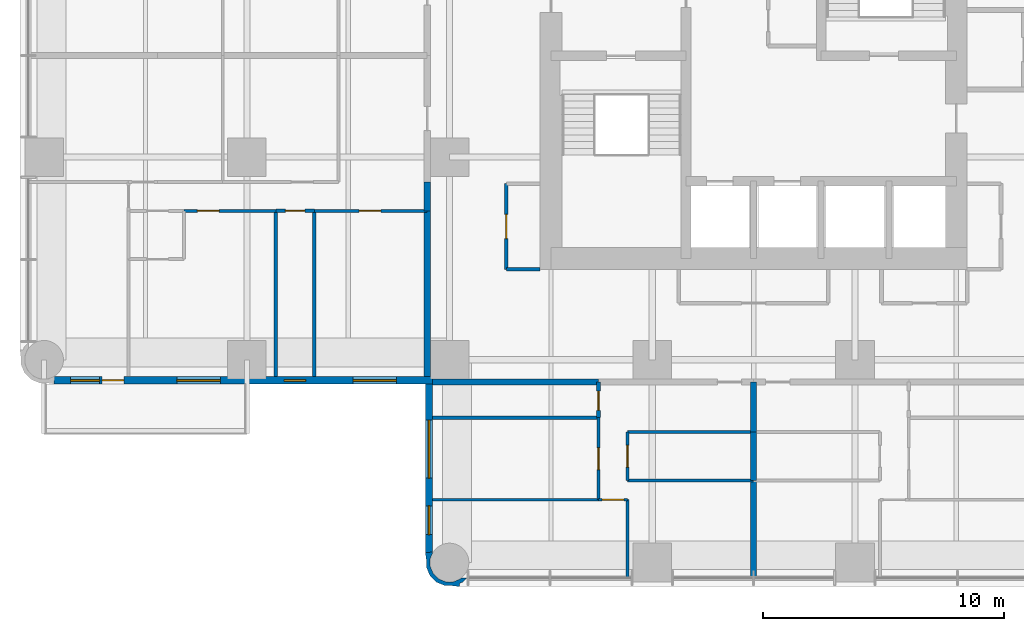
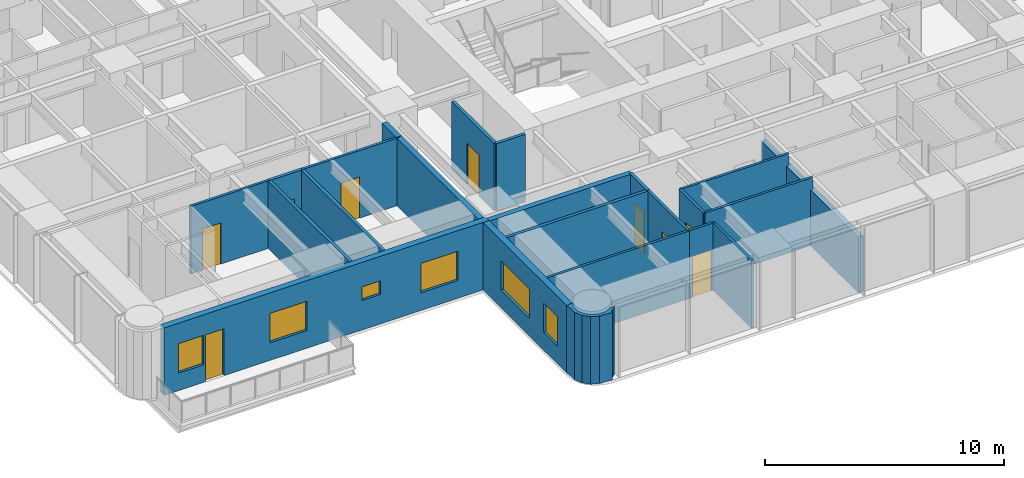
# One storey, part 6 of 15: 25 walls, 9 doors, 6 windows, 15 openings.
"""IFC4 building model written with IfcOpenShell, lengths in metres."""

from ifc_helpers import new_model, si_unit, direction, frame, frame_2d, origin, place, context, subcontext, project, spatial, polyline, rectangle, outline, extrude, material, layer, layer_set, type_object, element, fill, save


model = new_model("IFC4")

# Units and contexts
model_context = context("Model", 3, precision=1e-05, world=origin(), true_north=direction((0.0, 1.0)))
body_context = subcontext(model_context, "Body", "Model", "MODEL_VIEW")
ifc_project = project(units=[si_unit("LENGTHUNIT", "METRE"), si_unit("AREAUNIT", "SQUARE_METRE"), si_unit("VOLUMEUNIT", "CUBIC_METRE"), si_unit("PLANEANGLEUNIT", "RADIAN"), si_unit("MASSUNIT", "GRAM", prefix="KILO")], contexts=[model_context])

# Site, building, storey
site_placement = place(None, origin())
site = spatial("IfcSite", under=ifc_project, at=site_placement, CompositionType="ELEMENT")
building_placement = place(site_placement, origin())
building = spatial("IfcBuilding", under=site, at=building_placement, Name="Torre Alcanfor", CompositionType="ELEMENT")
storey_placement = place(building_placement, frame((0.0, 0.0, 152.10009765625)))
storey = spatial("IfcBuildingStorey", under=building, at=storey_placement, Name="L39", CompositionType="ELEMENT", Elevation=152.10009765625)

# Walls
ifc_material_1 = material(Name="Concrete block masonry, hollow blocks NMX-C-404 9 MPa", Category="masonry")
ifc_layer_1 = layer(ifc_material_1, 0.25)
ifc_layer_set_1 = layer_set([ifc_layer_1], Name="Apartment entrance wall 250 EI 60")
wall_type_1 = type_object("IfcWallType", Name="Apartment entrance wall 250 EI 60", PredefinedType="PARTITIONING", material=ifc_layer_set_1)
wall_1_placement = place(storey_placement, frame((22.970947265625, 15.875, 0.0), z_axis=(0.0, 0.0, 1.0), x_axis=(-1.0, 0.0, 0.0)))
element("IfcWall", 1, at=wall_1_placement, inside=storey, type_object=wall_type_1, Name="Partition L39-CORR / L39-S2-BATH", PredefinedType="PARTITIONING", context=body_context, shape_type="SweptSolid", body=[
    extrude(rectangle(XDim=6.870849609375, YDim=0.25, at=frame_2d((3.435546875, 0.0))), origin(), (0.0, 0.0, 1.0), 3.449951171875),
])
wall_2_placement = place(storey_placement, frame((15.875, 22.970947265625, 0.0), z_axis=(0.0, 0.0, 1.0), x_axis=(0.0, 1.0, 0.0)))
element("IfcWall", 2, at=wall_2_placement, inside=storey, type_object=wall_type_1, Name="Partition L39-CORR / L39-W1-HALL", PredefinedType="PARTITIONING", context=body_context, shape_type="SweptSolid", body=[
    extrude(rectangle(XDim=1.199951171875, YDim=0.25, at=frame_2d((0.60009765625, 0.0))), origin(), (0.0, 0.0, 1.0), 3.449951171875),
])
wall_3_placement = place(storey_placement, frame((15.875, 16.10009765625, 0.0), z_axis=(0.0, 0.0, 1.0), x_axis=(0.0, 1.0, 0.0)))
element("IfcWall", 3, at=wall_3_placement, inside=storey, type_object=wall_type_1, Name="Partition L39-CORR / L39-W1-BED2", PredefinedType="PARTITIONING", context=body_context, shape_type="SweptSolid", body=[
    extrude(rectangle(XDim=6.870849609375, YDim=0.25, at=frame_2d((3.435546875, 0.0))), origin(), (0.0, 0.0, 1.0), 3.449951171875),
])
ifc_material_2 = material(Name="Gypsum board on steel studs", Category="steel")
ifc_layer_2 = layer(ifc_material_2, 0.1201171875)
ifc_layer_set_2 = layer_set([ifc_layer_2], Name="Apartment partition 120")
wall_type_2 = type_object("IfcWallType", Name="Apartment partition 120", PredefinedType="PARTITIONING", material=ifc_layer_set_2)
wall_4_placement = place(storey_placement, frame((29.39990234375, 11.800048828125, 0.0), z_axis=(0.0, 0.0, 1.0), x_axis=(-1.0, 0.0, 0.0)))
element("IfcWall", 4, at=wall_4_placement, inside=storey, type_object=wall_type_2, Name="Partition L39-S2-KITCHEN / L39-S2-LIVING", PredefinedType="PARTITIONING", context=body_context, shape_type="SweptSolid", body=[
    extrude(rectangle(XDim=5.22900390625, YDim=0.1201171875, at=frame_2d((2.614501953125, 0.0))), origin(), (0.0, 0.0, 1.0), 3.449951171875),
])

# Wall, opening, door
wall_5_placement = place(storey_placement, frame((24.1708984375, 11.800048828125, 0.0), z_axis=(0.0, 0.0, 1.0), x_axis=(0.0, 1.0, 0.0)))
wall_5 = element("IfcWall", 5, at=wall_5_placement, inside=storey, type_object=wall_type_2, Name="Partition L39-S2-KITCHEN / L39-S2-LIVING", PredefinedType="PARTITIONING", context=body_context, shape_type="SweptSolid", body=[
    extrude(rectangle(XDim=2.0, YDim=0.1201171875, at=frame_2d((1.0, 0.0))), origin(), (0.0, 0.0, 1.0), 3.449951171875),
])
opening_1_placement = place(wall_5_placement, frame((0.550048828125, 0.0, 0.0)))
opening_1 = element("IfcOpeningElement", 6, at=opening_1_placement, cuts=wall_5, Name="Opening D-R1", PredefinedType="OPENING", context=body_context, shape_type="SweptSolid", body=[
    extrude(rectangle(XDim=0.89990234375, YDim=2.10009765625, at=frame_2d((0.449951171875, 1.050048828125))), frame((0.0, 0.070068359375, 0.0), z_axis=(0.0, -1.0, 0.0), x_axis=(1.0, 0.0, 0.0)), (0.0, 0.0, 1.0), 0.14013671875),
])
ifc_material_3 = material(Name="Timber", Category="wood")
door_type_1 = type_object("IfcDoorType", Name="Internal door 900x2100", OperationType="SINGLE_SWING_LEFT", PredefinedType="DOOR", material=ifc_material_3)
door_1_placement = place(opening_1_placement, frame((0.89990234375, 0.0, 0.0), z_axis=(0.0, 0.0, 1.0), x_axis=(-1.0, 0.0, 0.0)))
door_1 = element("IfcDoor", 7, at=door_1_placement, inside=storey, type_object=door_type_1, Name="Door L39-S2 kitchen", OperationType="SINGLE_SWING_RIGHT", OverallHeight=2.10009765625, OverallWidth=0.89990234375, PredefinedType="DOOR", context=body_context, shape_type="SweptSolid", body=[
    extrude(rectangle(XDim=0.89990234375, YDim=2.10009765625, at=frame_2d((0.449951171875, 1.050048828125))), frame((0.0, 0.025146484375, 0.0), z_axis=(0.0, -1.0, 0.0), x_axis=(1.0, 0.0, 0.0)), (0.0, 0.0, 1.0), 0.050048828125),
])
fill(opening_1, door_1)

# Wall
wall_6_placement = place(storey_placement, frame((24.1708984375, 13.800048828125, 0.0), z_axis=(0.0, 0.0, 1.0), x_axis=(1.0, 0.0, 0.0)))
element("IfcWall", 8, at=wall_6_placement, inside=storey, type_object=wall_type_2, Name="Partition L39-S2-KITCHEN / L39-S2-LIVING", PredefinedType="PARTITIONING", context=body_context, shape_type="SweptSolid", body=[
    extrude(rectangle(XDim=5.22900390625, YDim=0.1201171875, at=frame_2d((2.614501953125, 0.0))), origin(), (0.0, 0.0, 1.0), 3.449951171875),
])

# Wall, opening, door
wall_7_placement = place(storey_placement, frame((22.970947265625, 11.0, 0.0), z_axis=(0.0, 0.0, 1.0), x_axis=(0.0, 1.0, 0.0)))
wall_7 = element("IfcWall", 9, at=wall_7_placement, inside=storey, type_object=wall_type_2, Name="Partition L39-S2-LIVING / L39-S2-STUDY", PredefinedType="PARTITIONING", context=body_context, shape_type="SweptSolid", body=[
    extrude(rectangle(XDim=3.39990234375, YDim=0.1201171875, at=frame_2d((1.699951171875, 0.0))), origin(), (0.0, 0.0, 1.0), 3.449951171875),
])
opening_2_placement = place(wall_7_placement, frame((1.25, 0.0, 0.0)))
opening_2 = element("IfcOpeningElement", 10, at=opening_2_placement, cuts=wall_7, Name="Opening D-R1", PredefinedType="OPENING", context=body_context, shape_type="SweptSolid", body=[
    extrude(rectangle(XDim=0.89990234375, YDim=2.10009765625, at=frame_2d((0.449951171875, 1.050048828125))), frame((0.0, 0.070068359375, 0.0), z_axis=(0.0, -1.0, 0.0), x_axis=(1.0, 0.0, 0.0)), (0.0, 0.0, 1.0), 0.14013671875),
])
door_2_placement = place(opening_2_placement, origin())
door_2 = element("IfcDoor", 11, at=door_2_placement, inside=storey, type_object=door_type_1, Name="Door L39-S2 study", OperationType="SINGLE_SWING_LEFT", OverallHeight=2.10009765625, OverallWidth=0.89990234375, PredefinedType="DOOR", context=body_context, shape_type="SweptSolid", body=[
    extrude(rectangle(XDim=0.89990234375, YDim=2.10009765625, at=frame_2d((0.449951171875, 1.050048828125))), frame((0.0, 0.02490234375, 0.0), z_axis=(0.0, -1.0, 0.0), x_axis=(1.0, 0.0, 0.0)), (0.0, 0.0, 1.0), 0.050048828125),
])
fill(opening_2, door_2)

# Wall
wall_8_placement = place(storey_placement, frame((24.1708984375, 7.75, 0.0), z_axis=(0.0, 0.0, 1.0), x_axis=(0.0, 1.0, 0.0)))
element("IfcWall", 12, at=wall_8_placement, inside=storey, type_object=wall_type_2, Name="Partition L39-S2-LIVING / L39-S2-MASTER", PredefinedType="PARTITIONING", context=body_context, shape_type="SweptSolid", body=[
    extrude(rectangle(XDim=3.25, YDim=0.1201171875, at=frame_2d((1.625, 0.0))), origin(), (0.0, 0.0, 1.0), 3.449951171875),
])

# Wall, opening, door
wall_9_placement = place(storey_placement, frame((24.1708984375, 11.0, 0.0), z_axis=(0.0, 0.0, 1.0), x_axis=(-1.0, 0.0, 0.0)))
wall_9 = element("IfcWall", 13, at=wall_9_placement, inside=storey, type_object=wall_type_2, Name="Partition L39-S2-LIVING / L39-S2-MASTER", PredefinedType="PARTITIONING", context=body_context, shape_type="SweptSolid", body=[
    extrude(rectangle(XDim=1.199951171875, YDim=0.1201171875, at=frame_2d((0.60009765625, 0.0))), origin(), (0.0, 0.0, 1.0), 3.449951171875),
])
opening_3_placement = place(wall_9_placement, frame((0.15087890625, 0.0, 0.0)))
opening_3 = element("IfcOpeningElement", 14, at=opening_3_placement, cuts=wall_9, Name="Opening D-R1", PredefinedType="OPENING", context=body_context, shape_type="SweptSolid", body=[
    extrude(rectangle(XDim=0.89990234375, YDim=2.10009765625, at=frame_2d((0.449951171875, 1.050048828125))), frame((0.0, 0.070068359375, 0.0), z_axis=(0.0, -1.0, 0.0), x_axis=(1.0, 0.0, 0.0)), (0.0, 0.0, 1.0), 0.14013671875),
])
door_3_placement = place(opening_3_placement, origin())
door_3 = element("IfcDoor", 15, at=door_3_placement, inside=storey, type_object=door_type_1, Name="Door L39-S2 master", OperationType="SINGLE_SWING_LEFT", OverallHeight=2.10009765625, OverallWidth=0.89990234375, PredefinedType="DOOR", context=body_context, shape_type="SweptSolid", body=[
    extrude(rectangle(XDim=0.89990234375, YDim=2.10009765625, at=frame_2d((0.449951171875, 1.050048828125))), frame((0.0, 0.02490234375, 0.0), z_axis=(0.0, -1.0, 0.0), x_axis=(1.0, 0.0, 0.0)), (0.0, 0.0, 1.0), 0.050048828125),
])
fill(opening_3, door_3)

# Wall
wall_10_placement = place(storey_placement, frame((22.970947265625, 11.0, 0.0), z_axis=(0.0, 0.0, 1.0), x_axis=(-1.0, 0.0, 0.0)))
element("IfcWall", 16, at=wall_10_placement, inside=storey, type_object=wall_type_2, Name="Partition L39-S2-STUDY / L39-S2-MASTER", PredefinedType="PARTITIONING", context=body_context, shape_type="SweptSolid", body=[
    extrude(rectangle(XDim=6.870849609375, YDim=0.1201171875, at=frame_2d((3.435546875, 0.0))), origin(), (0.0, 0.0, 1.0), 3.449951171875),
])

# Wall, opening, door
wall_11_placement = place(storey_placement, frame((11.199951171875, 22.970947265625, 0.0), z_axis=(0.0, 0.0, 1.0), x_axis=(1.0, 0.0, 0.0)))
wall_11 = element("IfcWall", 17, at=wall_11_placement, inside=storey, type_object=wall_type_2, Name="Partition L39-W1-HALL / L39-W1-BED2", PredefinedType="PARTITIONING", context=body_context, shape_type="SweptSolid", body=[
    extrude(rectangle(XDim=4.675048828125, YDim=0.1201171875, at=frame_2d((2.33740234375, 0.0))), origin(), (0.0, 0.0, 1.0), 3.449951171875),
])
opening_4_placement = place(wall_11_placement, frame((1.85009765625, 0.0, 0.0)))
opening_4 = element("IfcOpeningElement", 18, at=opening_4_placement, cuts=wall_11, Name="Opening D-R1", PredefinedType="OPENING", context=body_context, shape_type="SweptSolid", body=[
    extrude(rectangle(XDim=0.89990234375, YDim=2.10009765625, at=frame_2d((0.449951171875, 1.050048828125))), frame((0.0, 0.070068359375, 0.0), z_axis=(0.0, -1.0, 0.0), x_axis=(1.0, 0.0, 0.0)), (0.0, 0.0, 1.0), 0.14013671875),
])
door_4_placement = place(opening_4_placement, frame((0.89990234375, 0.0, 0.0), z_axis=(0.0, 0.0, 1.0), x_axis=(-1.0, 0.0, 0.0)))
door_4 = element("IfcDoor", 19, at=door_4_placement, inside=storey, type_object=door_type_1, Name="Door L39-W1 bed2", OperationType="SINGLE_SWING_RIGHT", OverallHeight=2.10009765625, OverallWidth=0.89990234375, PredefinedType="DOOR", context=body_context, shape_type="SweptSolid", body=[
    extrude(rectangle(XDim=0.89990234375, YDim=2.10009765625, at=frame_2d((0.449951171875, 1.050048828125))), frame((0.0, 0.025146484375, 0.0), z_axis=(0.0, -1.0, 0.0), x_axis=(1.0, 0.0, 0.0)), (0.0, 0.0, 1.0), 0.050048828125),
])
fill(opening_4, door_4)

wall_12_placement = place(storey_placement, frame((5.800048828125, 22.970947265625, 0.0), z_axis=(0.0, 0.0, 1.0), x_axis=(1.0, 0.0, 0.0)))
wall_12 = element("IfcWall", 20, at=wall_12_placement, inside=storey, type_object=wall_type_2, Name="Partition L39-W1-HALL / L39-W1-MASTER", PredefinedType="PARTITIONING", context=body_context, shape_type="SweptSolid", body=[
    extrude(rectangle(XDim=3.800048828125, YDim=0.1201171875, at=frame_2d((1.89990234375, 0.0))), origin(), (0.0, 0.0, 1.0), 3.449951171875),
])
opening_5_placement = place(wall_12_placement, frame((0.550048828125, 0.0, 0.0)))
opening_5 = element("IfcOpeningElement", 21, at=opening_5_placement, cuts=wall_12, Name="Opening D-R1", PredefinedType="OPENING", context=body_context, shape_type="SweptSolid", body=[
    extrude(rectangle(XDim=0.89990234375, YDim=2.10009765625, at=frame_2d((0.449951171875, 1.050048828125))), frame((0.0, 0.070068359375, 0.0), z_axis=(0.0, -1.0, 0.0), x_axis=(1.0, 0.0, 0.0)), (0.0, 0.0, 1.0), 0.14013671875),
])
door_5_placement = place(opening_5_placement, frame((0.89990234375, 0.0, 0.0), z_axis=(0.0, 0.0, 1.0), x_axis=(-1.0, 0.0, 0.0)))
door_5 = element("IfcDoor", 22, at=door_5_placement, inside=storey, type_object=door_type_1, Name="Door L39-W1 master", OperationType="SINGLE_SWING_RIGHT", OverallHeight=2.10009765625, OverallWidth=0.89990234375, PredefinedType="DOOR", context=body_context, shape_type="SweptSolid", body=[
    extrude(rectangle(XDim=0.89990234375, YDim=2.10009765625, at=frame_2d((0.449951171875, 1.050048828125))), frame((0.0, 0.025146484375, 0.0), z_axis=(0.0, -1.0, 0.0), x_axis=(1.0, 0.0, 0.0)), (0.0, 0.0, 1.0), 0.050048828125),
])
fill(opening_5, door_5)

# Wall, openings, door, windows
ifc_material_4 = material(Name="Limestone cladding", Category="masonry")
ifc_layer_3 = layer(ifc_material_4, 0.0400390625, Name="Facing")
ifc_material_5 = material(Name="Ventilated air cavity")
ifc_layer_4 = layer(ifc_material_5, 0.02001953125, ventilated=True, Name="Ventilated joint")
ifc_material_6 = material(Name="Mineral wool insulation", Category="insulation")
ifc_layer_5 = layer(ifc_material_6, 0.10009765625, Name="Insulation")
ifc_material_7 = material(Name="Concrete f'c 35 MPa", Category="concrete")
ifc_layer_6 = layer(ifc_material_7, 0.139892578125, Name="Backing")
ifc_layer_set_3 = layer_set([ifc_layer_3, ifc_layer_4, ifc_layer_5, ifc_layer_6], Name="External wall stone-clad 300")
wall_type_3 = type_object("IfcWallType", Name="External wall stone-clad 300", PredefinedType="SOLIDWALL", material=ifc_layer_set_3)
wall_13_placement = place(storey_placement, frame((0.39990234375, 15.949951171875, 0.0), z_axis=(0.0, 0.0, 1.0), x_axis=(1.0, 0.0, 0.0)))
wall_13 = element("IfcWall", 23, at=wall_13_placement, inside=storey, type_object=wall_type_3, Name="External wall L39 3", PredefinedType="SOLIDWALL", context=body_context, shape_type="SweptSolid", body=[
    extrude(rectangle(XDim=15.7001953125, YDim=0.300048828125, at=frame_2d((7.85009765625, 0.0))), origin(), (0.0, 0.0, 1.0), 3.449951171875),
])
opening_6_placement = place(wall_13_placement, frame((12.39990234375, 0.0, 0.89990234375)))
opening_6 = element("IfcOpeningElement", 24, at=opening_6_placement, cuts=wall_13, Name="Opening W2", PredefinedType="OPENING", context=body_context, shape_type="SweptSolid", body=[
    extrude(rectangle(XDim=1.800048828125, YDim=1.5, at=frame_2d((0.89990234375, 0.75))), frame((0.0, 0.159912109375, 0.0), z_axis=(0.0, -1.0, 0.0), x_axis=(1.0, 0.0, 0.0)), (0.0, 0.0, 1.0), 0.320068359375),
])
opening_7_placement = place(wall_13_placement, frame((9.550048828125, 0.0, 1.5)))
opening_7 = element("IfcOpeningElement", 25, at=opening_7_placement, cuts=wall_13, Name="Opening W3", PredefinedType="OPENING", context=body_context, shape_type="SweptSolid", body=[
    extrude(rectangle(XDim=0.89990234375, YDim=0.699951171875, at=frame_2d((0.449951171875, 0.35009765625))), frame((0.0, 0.159912109375, 0.0), z_axis=(0.0, -1.0, 0.0), x_axis=(1.0, 0.0, 0.0)), (0.0, 0.0, 1.0), 0.320068359375),
])
opening_8_placement = place(wall_13_placement, frame((5.10009765625, 0.0, 0.89990234375)))
opening_8 = element("IfcOpeningElement", 26, at=opening_8_placement, cuts=wall_13, Name="Opening W2", PredefinedType="OPENING", context=body_context, shape_type="SweptSolid", body=[
    extrude(rectangle(XDim=1.800048828125, YDim=1.5, at=frame_2d((0.89990234375, 0.75))), frame((0.0, 0.159912109375, 0.0), z_axis=(0.0, -1.0, 0.0), x_axis=(1.0, 0.0, 0.0)), (0.0, 0.0, 1.0), 0.320068359375),
])
opening_9_placement = place(wall_13_placement, frame((2.0, 0.0, 0.0)))
opening_9 = element("IfcOpeningElement", 27, at=opening_9_placement, cuts=wall_13, Name="Opening D-B1", PredefinedType="OPENING", context=body_context, shape_type="SweptSolid", body=[
    extrude(rectangle(XDim=0.89990234375, YDim=2.39990234375, at=frame_2d((0.449951171875, 1.199951171875))), frame((0.0, 0.159912109375, 0.0), z_axis=(0.0, -1.0, 0.0), x_axis=(1.0, 0.0, 0.0)), (0.0, 0.0, 1.0), 0.320068359375),
])
opening_10_placement = place(wall_13_placement, frame((0.699951171875, 0.0, 0.89990234375)))
opening_10 = element("IfcOpeningElement", 28, at=opening_10_placement, cuts=wall_13, Name="Opening W4", PredefinedType="OPENING", context=body_context, shape_type="SweptSolid", body=[
    extrude(rectangle(XDim=1.199951171875, YDim=1.5, at=frame_2d((0.60009765625, 0.75))), frame((0.0, 0.159912109375, 0.0), z_axis=(0.0, -1.0, 0.0), x_axis=(1.0, 0.0, 0.0)), (0.0, 0.0, 1.0), 0.320068359375),
])
ifc_material_8 = material(Name="Aluminium and glass", Category="aluminium")
door_type_2 = type_object("IfcDoorType", Name="Balcony door glazed 900x2400", OperationType="SINGLE_SWING_LEFT", PredefinedType="DOOR", material=ifc_material_8)
door_6_placement = place(opening_9_placement, origin())
door_6 = element("IfcDoor", 29, at=door_6_placement, inside=storey, type_object=door_type_2, Name="Balcony door L39-W1", OperationType="SINGLE_SWING_RIGHT", OverallHeight=2.39990234375, OverallWidth=0.89990234375, PredefinedType="DOOR", context=body_context, shape_type="SweptSolid", body=[
    extrude(rectangle(XDim=0.89990234375, YDim=2.39990234375, at=frame_2d((0.449951171875, 1.199951171875))), frame((0.0, 0.02490234375, 0.0), z_axis=(0.0, -1.0, 0.0), x_axis=(1.0, 0.0, 0.0)), (0.0, 0.0, 1.0), 0.050048828125),
])
fill(opening_9, door_6)
ifc_material_9 = material(Name="Aluminium frame with clear double glazing", Category="aluminium")
window_type_1 = type_object("IfcWindowType", Name="Window bathroom 900x700", PartitioningType="SINGLE_PANEL", PredefinedType="WINDOW", material=ifc_material_9)
window_1_placement = place(opening_7_placement, origin())
window_1 = element("IfcWindow", 30, at=window_1_placement, inside=storey, type_object=window_type_1, Name="Window W3 L39-W1", OverallHeight=0.699951171875, OverallWidth=0.89990234375, PartitioningType="SINGLE_PANEL", PredefinedType="WINDOW", context=body_context, shape_type="SweptSolid", body=[
    extrude(rectangle(XDim=0.89990234375, YDim=0.699951171875, at=frame_2d((0.449951171875, 0.35009765625))), frame((0.0, 0.030029296875, 0.0), z_axis=(0.0, -1.0, 0.0), x_axis=(1.0, 0.0, 0.0)), (0.0, 0.0, 1.0), 0.06005859375),
])
fill(opening_7, window_1)
ifc_material_10 = material(Name="Aluminium frame with clear double glazing", Category="aluminium")
window_type_2 = type_object("IfcWindowType", Name="Window bedroom 1200x1500", PartitioningType="SINGLE_PANEL", PredefinedType="WINDOW", material=ifc_material_10)
window_2_placement = place(opening_10_placement, origin())
window_2 = element("IfcWindow", 31, at=window_2_placement, inside=storey, type_object=window_type_2, Name="Window W4 L39-W1", OverallHeight=1.5, OverallWidth=1.199951171875, PartitioningType="SINGLE_PANEL", PredefinedType="WINDOW", context=body_context, shape_type="SweptSolid", body=[
    extrude(rectangle(XDim=1.199951171875, YDim=1.5, at=frame_2d((0.60009765625, 0.75))), frame((0.0, 0.030029296875, 0.0), z_axis=(0.0, -1.0, 0.0), x_axis=(1.0, 0.0, 0.0)), (0.0, 0.0, 1.0), 0.06005859375),
])
fill(opening_10, window_2)
ifc_material_11 = material(Name="Aluminium frame with clear double glazing", Category="aluminium")
window_type_3 = type_object("IfcWindowType", Name="Window bedroom 1800x1500", PartitioningType="SINGLE_PANEL", PredefinedType="WINDOW", material=ifc_material_11)
window_3_placement = place(opening_6_placement, origin())
window_3 = element("IfcWindow", 32, at=window_3_placement, inside=storey, type_object=window_type_3, Name="Window W2 L39-W1", OverallHeight=1.5, OverallWidth=1.800048828125, PartitioningType="SINGLE_PANEL", PredefinedType="WINDOW", context=body_context, shape_type="SweptSolid", body=[
    extrude(rectangle(XDim=1.800048828125, YDim=1.5, at=frame_2d((0.89990234375, 0.75))), frame((0.0, 0.030029296875, 0.0), z_axis=(0.0, -1.0, 0.0), x_axis=(1.0, 0.0, 0.0)), (0.0, 0.0, 1.0), 0.06005859375),
])
fill(opening_6, window_3)
window_4_placement = place(opening_8_placement, origin())
window_4 = element("IfcWindow", 33, at=window_4_placement, inside=storey, type_object=window_type_3, Name="Window W2 L39-W1", OverallHeight=1.5, OverallWidth=1.800048828125, PartitioningType="SINGLE_PANEL", PredefinedType="WINDOW", context=body_context, shape_type="SweptSolid", body=[
    extrude(rectangle(XDim=1.800048828125, YDim=1.5, at=frame_2d((0.89990234375, 0.75))), frame((0.0, 0.030029296875, 0.0), z_axis=(0.0, -1.0, 0.0), x_axis=(1.0, 0.0, 0.0)), (0.0, 0.0, 1.0), 0.06005859375),
])
fill(opening_8, window_4)

# Wall, openings, windows
wall_14_placement = place(storey_placement, frame((15.949951171875, 15.800048828125, 0.0), z_axis=(0.0, 0.0, 1.0), x_axis=(0.0, -1.0, 0.0)))
wall_14 = element("IfcWall", 34, at=wall_14_placement, inside=storey, type_object=wall_type_3, Name="External wall L39 4", PredefinedType="SOLIDWALL", context=body_context, shape_type="SweptSolid", body=[
    extrude(rectangle(XDim=7.0, YDim=0.300048828125, at=frame_2d((3.5, 0.0))), origin(), (0.0, 0.0, 1.0), 3.449951171875),
])
opening_11_placement = place(wall_14_placement, frame((1.5, 0.0, 0.89990234375)))
opening_11 = element("IfcOpeningElement", 35, at=opening_11_placement, cuts=wall_14, Name="Opening W1", PredefinedType="OPENING", context=body_context, shape_type="SweptSolid", body=[
    extrude(rectangle(XDim=2.39990234375, YDim=1.5, at=frame_2d((1.199951171875, 0.75))), frame((0.0, 0.159912109375, 0.0), z_axis=(0.0, -1.0, 0.0), x_axis=(1.0, 0.0, 0.0)), (0.0, 0.0, 1.0), 0.320068359375),
])
opening_12_placement = place(wall_14_placement, frame((5.050048828125, 0.0, 0.89990234375)))
opening_12 = element("IfcOpeningElement", 36, at=opening_12_placement, cuts=wall_14, Name="Opening W4", PredefinedType="OPENING", context=body_context, shape_type="SweptSolid", body=[
    extrude(rectangle(XDim=1.199951171875, YDim=1.5, at=frame_2d((0.60009765625, 0.75))), frame((0.0, 0.159912109375, 0.0), z_axis=(0.0, -1.0, 0.0), x_axis=(1.0, 0.0, 0.0)), (0.0, 0.0, 1.0), 0.320068359375),
])
window_5_placement = place(opening_12_placement, origin())
window_5 = element("IfcWindow", 37, at=window_5_placement, inside=storey, type_object=window_type_2, Name="Window W4 L39-S2", OverallHeight=1.5, OverallWidth=1.199951171875, PartitioningType="SINGLE_PANEL", PredefinedType="WINDOW", context=body_context, shape_type="SweptSolid", body=[
    extrude(rectangle(XDim=1.199951171875, YDim=1.5, at=frame_2d((0.60009765625, 0.75))), frame((0.0, 0.030029296875, 0.0), z_axis=(0.0, -1.0, 0.0), x_axis=(1.0, 0.0, 0.0)), (0.0, 0.0, 1.0), 0.06005859375),
])
fill(opening_12, window_5)
ifc_material_12 = material(Name="Aluminium frame with clear double glazing", Category="aluminium")
window_type_4 = type_object("IfcWindowType", Name="Window bedroom 2400x1500", PartitioningType="SINGLE_PANEL", PredefinedType="WINDOW", material=ifc_material_12)
window_6_placement = place(opening_11_placement, origin())
window_6 = element("IfcWindow", 38, at=window_6_placement, inside=storey, type_object=window_type_4, Name="Window W1 L39-S2", OverallHeight=1.5, OverallWidth=2.39990234375, PartitioningType="SINGLE_PANEL", PredefinedType="WINDOW", context=body_context, shape_type="SweptSolid", body=[
    extrude(rectangle(XDim=2.39990234375, YDim=1.5, at=frame_2d((1.199951171875, 0.75))), frame((0.0, 0.030029296875, 0.0), z_axis=(0.0, -1.0, 0.0), x_axis=(1.0, 0.0, 0.0)), (0.0, 0.0, 1.0), 0.06005859375),
])
fill(opening_11, window_6)

# Walls
ifc_material_13 = material(Name="Concrete block masonry, hollow blocks NMX-C-404 9 MPa", Category="masonry")
ifc_layer_7 = layer(ifc_material_13, 0.25)
ifc_layer_set_4 = layer_set([ifc_layer_7], Name="Party wall 250 EI 60")
wall_type_4 = type_object("IfcWallType", Name="Party wall 250 EI 60", PredefinedType="PARTITIONING", material=ifc_layer_set_4)
wall_15_placement = place(storey_placement, frame((29.39990234375, 13.800048828125, 0.0), z_axis=(0.0, 0.0, 1.0), x_axis=(0.0, -1.0, 0.0)))
element("IfcWall", 39, at=wall_15_placement, inside=storey, type_object=wall_type_4, Name="Partition L39-S1-KITCHEN / L39-S2-KITCHEN", PredefinedType="PARTITIONING", context=body_context, shape_type="SweptSolid", body=[
    extrude(rectangle(XDim=2.0, YDim=0.25, at=frame_2d((1.0, 0.0))), origin(), (0.0, 0.0, 1.0), 2.847900390625),
])
wall_16_placement = place(storey_placement, frame((29.39990234375, 7.75, 0.0), z_axis=(0.0, 0.0, 1.0), x_axis=(0.0, 1.0, 0.0)))
element("IfcWall", 40, at=wall_16_placement, inside=storey, type_object=wall_type_4, Name="Partition L39-S1-LIVING / L39-S2-LIVING", PredefinedType="PARTITIONING", context=body_context, shape_type="SweptSolid", body=[
    extrude(rectangle(XDim=4.050048828125, YDim=0.25, at=frame_2d((2.02490234375, 0.0))), origin(), (0.0, 0.0, 1.0), 2.847900390625),
])
wall_17_placement = place(storey_placement, frame((29.39990234375, 13.800048828125, 0.0), z_axis=(0.0, 0.0, 1.0), x_axis=(0.0, 1.0, 0.0)))
element("IfcWall", 41, at=wall_17_placement, inside=storey, type_object=wall_type_4, Name="Partition L39-S1-LIVING / L39-S2-LIVING", PredefinedType="PARTITIONING", context=body_context, shape_type="SweptSolid", body=[
    extrude(rectangle(XDim=2.074951171875, YDim=0.25, at=frame_2d((1.03759765625, 0.0))), origin(), (0.0, 0.0, 1.0), 2.847900390625),
])

# Wall, opening, door
ifc_material_14 = material(Name="Concrete block masonry, hollow blocks NMX-C-404 9 MPa", Category="masonry")
ifc_layer_8 = layer(ifc_material_14, 0.14990234375)
ifc_layer_set_5 = layer_set([ifc_layer_8], Name="Residents' room partition 150")
wall_type_5 = type_object("IfcWallType", Name="Residents' room partition 150", PredefinedType="PARTITIONING", material=ifc_layer_set_5)
wall_18_placement = place(storey_placement, frame((19.14990234375, 24.10009765625, 0.0), z_axis=(0.0, 0.0, 1.0), x_axis=(0.0, -1.0, 0.0)))
wall_18 = element("IfcWall", 42, at=wall_18_placement, inside=storey, type_object=wall_type_5, Name="Partition L39-CORR / L39-G07", PredefinedType="PARTITIONING", context=body_context, shape_type="SweptSolid", body=[
    extrude(rectangle(XDim=3.550048828125, YDim=0.14990234375, at=frame_2d((1.77490234375, 0.0))), origin(), (0.0, 0.0, 1.0), 3.449951171875),
])
opening_13_placement = place(wall_18_placement, frame((1.27490234375, 0.0, 0.0)))
opening_13 = element("IfcOpeningElement", 43, at=opening_13_placement, cuts=wall_18, Name="Opening D-M1", PredefinedType="OPENING", context=body_context, shape_type="SweptSolid", body=[
    extrude(rectangle(XDim=1.0, YDim=2.10009765625, at=frame_2d((0.5, 1.050048828125))), frame((0.0, 0.0849609375, 0.0), z_axis=(0.0, -1.0, 0.0), x_axis=(1.0, 0.0, 0.0)), (0.0, 0.0, 1.0), 0.169921875),
])
ifc_material_15 = material(Name="Timber", Category="wood")
door_type_3 = type_object("IfcDoorType", Name="Residents' room door 1000x2100", OperationType="SINGLE_SWING_LEFT", PredefinedType="DOOR", material=ifc_material_15)
door_7_placement = place(opening_13_placement, origin())
door_7 = element("IfcDoor", 44, at=door_7_placement, inside=storey, type_object=door_type_3, Name="Door L39-G07 pram and buggy store", OperationType="SINGLE_SWING_LEFT", OverallHeight=2.10009765625, OverallWidth=1.0, PredefinedType="DOOR", context=body_context, shape_type="SweptSolid", body=[
    extrude(rectangle(XDim=1.0, YDim=2.10009765625, at=frame_2d((0.5, 1.050048828125))), frame((0.0, 0.02490234375, 0.0), z_axis=(0.0, -1.0, 0.0), x_axis=(1.0, 0.0, 0.0)), (0.0, 0.0, 1.0), 0.050048828125),
])
fill(opening_13, door_7)

# Walls
wall_19_placement = place(storey_placement, frame((19.14990234375, 20.550048828125, 0.0), z_axis=(0.0, 0.0, 1.0), x_axis=(1.0, 0.0, 0.0)))
element("IfcWall", 45, at=wall_19_placement, inside=storey, type_object=wall_type_5, Name="Partition L39-CORR / L39-G07", PredefinedType="PARTITIONING", context=body_context, shape_type="SweptSolid", body=[
    extrude(rectangle(XDim=1.400146484375, YDim=0.14990234375, at=frame_2d((0.7001953125, 0.0))), origin(), (0.0, 0.0, 1.0), 3.449951171875),
])
ifc_layer_9 = layer(ifc_material_4, 0.0400390625, Name="Facing")
ifc_layer_10 = layer(ifc_material_5, 0.02001953125, ventilated=True, Name="Ventilated joint")
ifc_layer_11 = layer(ifc_material_6, 0.10009765625, Name="Insulation")
ifc_layer_12 = layer(ifc_material_7, 0.139892578125, Name="Backing")
ifc_layer_set_6 = layer_set([ifc_layer_9, ifc_layer_10, ifc_layer_11, ifc_layer_12], Name="Rounded corner pier stone-clad 300")
wall_type_6 = type_object("IfcWallType", Name="Rounded corner pier stone-clad 300", PredefinedType="SOLIDWALL", material=ifc_layer_set_6)
wall_20_placement = place(storey_placement, frame((15.982940512, 8.726823795, 0.0), z_axis=(0.0, 0.0, 1.0), x_axis=(-0.343276641956, -0.93923434088, 0.0)))
element("IfcWall", 46, at=wall_20_placement, inside=storey, type_object=wall_type_6, Name="Corner pier L39 15", PredefinedType="SOLIDWALL", context=body_context, shape_type="SweptSolid", body=[
    extrude(outline(polyline([(0.8285188621172053, 1.5985593448955209), (0.6965961152022397, 1.5690588556644411), (0.6041961706613557, 1.669674810951586), (0.3940973255728224, 1.767303623446145), (0.47128428534856764, 1.55611347990365), (0.5085447362659081, 1.5387992791780876), (0.7240402358503313, 1.3040772160031127), (0.8334093808094493, 1.0048338530031606), (0.8200582319080854, 0.6864716314609828), (0.6857640531711582, 0.3974683020769049), (0.4510419899961833, 0.18197280249248177), (0.15179862699623123, 0.07260365753336384), (-0.11622928371084919, 0.08407628105020303), (-0.1273371975026375, 0.0781969477675098), (-0.14614022874094865, 0.07132471030647711), (-0.0059930226407584886, -0.19691459363495123), (0.26574754989690047, -0.054967852634112954), (0.535410534485363, 0.043590089489965705), (0.8166395849446566, 0.30181686768145743), (0.9775598034528271, 0.6481198820896807), (0.9938114202888776, 1.0296668379252687), (0.8951696703908839, 1.299559127772735), (0.8285188621172053, 1.5985593448955209)])), origin(), (0.0, 0.0, 1.0), 3.449951171875),
])

# Wall, opening, door
ifc_material_16 = material(Name="Cement board on steel studs", Category="steel")
ifc_layer_13 = layer(ifc_material_16, 0.14990234375)
ifc_layer_set_7 = layer_set([ifc_layer_13], Name="Wet area partition 150")
wall_type_7 = type_object("IfcWallType", Name="Wet area partition 150", PredefinedType="PARTITIONING", material=ifc_layer_set_7)
wall_21_placement = place(storey_placement, frame((22.970947265625, 14.39990234375, 0.0), z_axis=(0.0, 0.0, 1.0), x_axis=(0.0, 1.0, 0.0)))
wall_21 = element("IfcWall", 47, at=wall_21_placement, inside=storey, type_object=wall_type_7, Name="Partition L39-S2-LIVING / L39-S2-BATH", PredefinedType="PARTITIONING", context=body_context, shape_type="SweptSolid", body=[
    extrude(rectangle(XDim=1.47509765625, YDim=0.14990234375, at=frame_2d((0.737548828125, 0.0))), origin(), (0.0, 0.0, 1.0), 3.449951171875),
])
opening_14_placement = place(wall_21_placement, frame((0.300048828125, 0.0, 0.0)))
opening_14 = element("IfcOpeningElement", 48, at=opening_14_placement, cuts=wall_21, Name="Opening D-R2", PredefinedType="OPENING", context=body_context, shape_type="SweptSolid", body=[
    extrude(rectangle(XDim=0.800048828125, YDim=2.10009765625, at=frame_2d((0.39990234375, 1.050048828125))), frame((0.0, 0.0849609375, 0.0), z_axis=(0.0, -1.0, 0.0), x_axis=(1.0, 0.0, 0.0)), (0.0, 0.0, 1.0), 0.169921875),
])
ifc_material_17 = material(Name="Timber", Category="wood")
door_type_4 = type_object("IfcDoorType", Name="Bathroom door 800x2100", OperationType="SINGLE_SWING_LEFT", PredefinedType="DOOR", material=ifc_material_17)
door_8_placement = place(opening_14_placement, origin())
door_8 = element("IfcDoor", 49, at=door_8_placement, inside=storey, type_object=door_type_4, Name="Door L39-S2 bath", OperationType="SINGLE_SWING_LEFT", OverallHeight=2.10009765625, OverallWidth=0.800048828125, PredefinedType="DOOR", context=body_context, shape_type="SweptSolid", body=[
    extrude(rectangle(XDim=0.800048828125, YDim=2.10009765625, at=frame_2d((0.39990234375, 1.050048828125))), frame((0.0, 0.02490234375, 0.0), z_axis=(0.0, -1.0, 0.0), x_axis=(1.0, 0.0, 0.0)), (0.0, 0.0, 1.0), 0.050048828125),
])
fill(opening_14, door_8)

# Wall
wall_22_placement = place(storey_placement, frame((22.970947265625, 14.39990234375, 0.0), z_axis=(0.0, 0.0, 1.0), x_axis=(-1.0, 0.0, 0.0)))
element("IfcWall", 50, at=wall_22_placement, inside=storey, type_object=wall_type_7, Name="Partition L39-S2-BATH / L39-S2-STUDY", PredefinedType="PARTITIONING", context=body_context, shape_type="SweptSolid", body=[
    extrude(rectangle(XDim=6.870849609375, YDim=0.14990234375, at=frame_2d((3.435546875, 0.0))), origin(), (0.0, 0.0, 1.0), 3.449951171875),
])

# Wall, opening, door
wall_23_placement = place(storey_placement, frame((9.60009765625, 22.970947265625, 0.0), z_axis=(0.0, 0.0, 1.0), x_axis=(1.0, 0.0, 0.0)))
wall_23 = element("IfcWall", 51, at=wall_23_placement, inside=storey, type_object=wall_type_7, Name="Partition L39-W1-HALL / L39-W1-BATH1", PredefinedType="PARTITIONING", context=body_context, shape_type="SweptSolid", body=[
    extrude(rectangle(XDim=1.599853515625, YDim=0.14990234375, at=frame_2d((0.7998046875, 0.0))), origin(), (0.0, 0.0, 1.0), 3.449951171875),
])
opening_15_placement = place(wall_23_placement, frame((0.39990234375, 0.0, 0.0)))
opening_15 = element("IfcOpeningElement", 52, at=opening_15_placement, cuts=wall_23, Name="Opening D-R2", PredefinedType="OPENING", context=body_context, shape_type="SweptSolid", body=[
    extrude(rectangle(XDim=0.800048828125, YDim=2.10009765625, at=frame_2d((0.39990234375, 1.050048828125))), frame((0.0, 0.0849609375, 0.0), z_axis=(0.0, -1.0, 0.0), x_axis=(1.0, 0.0, 0.0)), (0.0, 0.0, 1.0), 0.169921875),
])
door_9_placement = place(opening_15_placement, frame((0.800048828125, 0.0, 0.0), z_axis=(0.0, 0.0, 1.0), x_axis=(-1.0, 0.0, 0.0)))
door_9 = element("IfcDoor", 53, at=door_9_placement, inside=storey, type_object=door_type_4, Name="Door L39-W1 bath1", OperationType="SINGLE_SWING_RIGHT", OverallHeight=2.10009765625, OverallWidth=0.800048828125, PredefinedType="DOOR", context=body_context, shape_type="SweptSolid", body=[
    extrude(rectangle(XDim=0.800048828125, YDim=2.10009765625, at=frame_2d((0.400146484375, 1.050048828125))), frame((0.0, 0.025146484375, 0.0), z_axis=(0.0, -1.0, 0.0), x_axis=(1.0, 0.0, 0.0)), (0.0, 0.0, 1.0), 0.050048828125),
])
fill(opening_15, door_9)

# Walls
for number, where, z_axis, x_axis, name in (
    (54, (11.199951171875, 22.970947265625, 0.0), (0.0, 0.0, 1.0), (0.0, -1.0, 0.0), "Partition L39-W1-BED2 / L39-W1-BATH1"),
    (55, (9.60009765625, 22.970947265625, 0.0), (0.0, 0.0, 1.0), (0.0, -1.0, 0.0), "Partition L39-W1-BATH1 / L39-W1-MASTER"),
):
    element("IfcWall", number, at=place(storey_placement, frame(where, z_axis=z_axis, x_axis=x_axis)), inside=storey, type_object=wall_type_7, Name=name, PredefinedType="PARTITIONING", context=body_context, shape_type="SweptSolid", body=[
        extrude(rectangle(XDim=6.870849609375, YDim=0.14990234375, at=frame_2d((3.435546875, 0.0))), origin(), (0.0, 0.0, 1.0), 3.449951171875),
    ])

save(model, "model.ifc")
